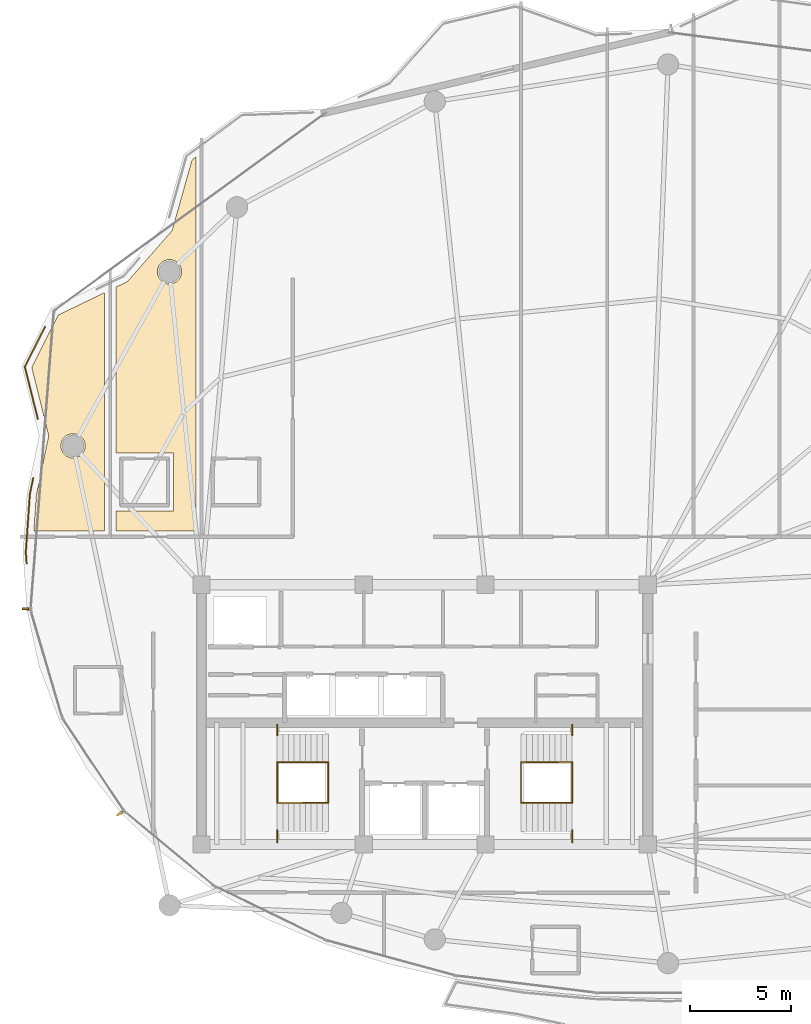
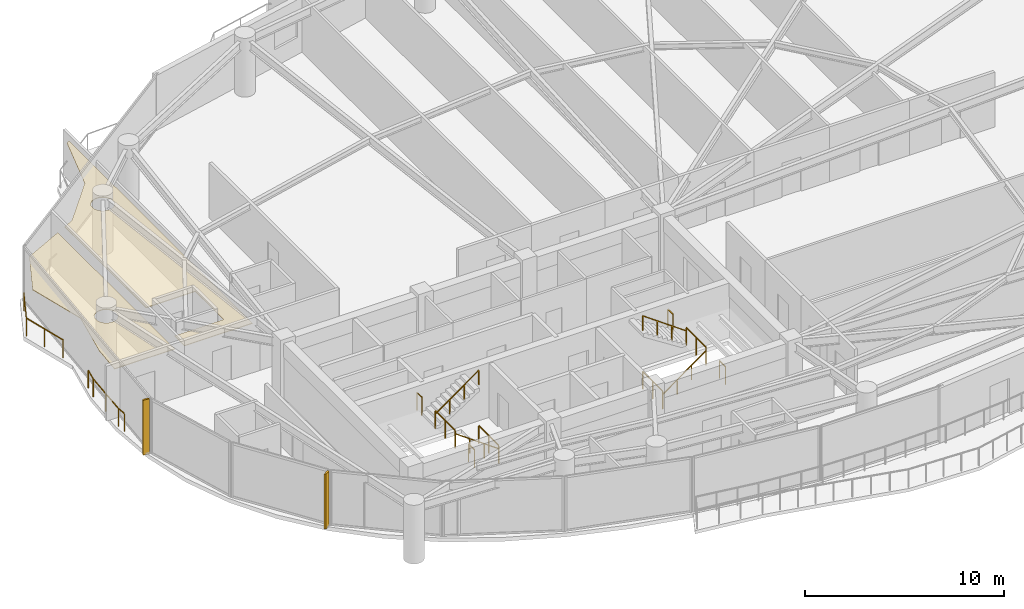
# One storey, part 29 of 31: 14 railings, 2 coverings, 2 shading devices.
"""IFC4 building model written with IfcOpenShell, lengths in metres."""

from ifc_helpers import new_model, si_unit, direction, frame, origin, origin_2d, place, context, subcontext, project, spatial, polyline, rectangle, outline, extrude, material, layer, layer_set, type_object, element, save


model = new_model("IFC4")

# Units and contexts
model_context = context("Model", 3, precision=1e-05, world=origin(), true_north=direction((0.0, 1.0)))
body_context = subcontext(model_context, "Body", "Model", "MODEL_VIEW")
ifc_project = project(units=[si_unit("LENGTHUNIT", "METRE"), si_unit("AREAUNIT", "SQUARE_METRE"), si_unit("VOLUMEUNIT", "CUBIC_METRE"), si_unit("PLANEANGLEUNIT", "RADIAN"), si_unit("MASSUNIT", "GRAM", prefix="KILO")], contexts=[model_context])

# Site, building, storey
site_placement = place(None, origin())
site = spatial("IfcSite", under=ifc_project, at=site_placement, CompositionType="ELEMENT")
building_placement = place(site_placement, origin())
building = spatial("IfcBuilding", under=site, at=building_placement, Name="Kazevale Care Tower and Concert Hall", CompositionType="ELEMENT")
storey_placement = place(building_placement, frame((0.0, 0.0, 220.800048828125)))
storey = spatial("IfcBuildingStorey", under=building, at=storey_placement, Name="L58", CompositionType="ELEMENT", Elevation=220.800048828125)

# Coverings
ifc_material_1 = material(Name="Acoustic Plaster and Hinoki Wood", Category="wood")
ifc_layer = layer(ifc_material_1, 0.0400390625)
ifc_layer_set = layer_set([ifc_layer], Name="Acoustic Plaster and Hinoki Wood")
covering_type = type_object("IfcCoveringType", Name="Acoustic Perforated Wood-Gypsum Ceiling", PredefinedType="CEILING", material=ifc_layer_set)
covering_1_placement = place(storey_placement, frame((0.0, 0.0, 2.7099609375)))
element("IfcCovering", 1, at=covering_1_placement, inside=storey, type_object=covering_type, Name="clg:L58:1", PredefinedType="CEILING", context=body_context, shape_type="SweptSolid", body=[
    extrude(outline(polyline([(14.468994140625, 43.75), (13.632080078125, 47.111083984375), (14.93310546875, 49.694091796875), (17.219970703125, 50.802001953125), (17.219970703125, 39.054931640625), (13.73388671875, 39.054931640625), (13.85693359375, 40.824951171875), (14.468994140625, 43.75)]), holes=[polyline([(16.262939453125, 43.367919921875), (16.173095703125, 43.5859375), (16.006103515625, 43.7529296875), (15.7880859375, 43.843017578125), (15.552001953125, 43.843017578125), (15.333984375, 43.7529296875), (15.1669921875, 43.5859375), (15.076904296875, 43.367919921875), (15.076904296875, 43.132080078125), (15.1669921875, 42.9140625), (15.333984375, 42.7470703125), (15.552001953125, 42.656982421875), (15.7880859375, 42.656982421875), (16.006103515625, 42.7470703125), (16.173095703125, 42.9140625), (16.262939453125, 43.132080078125), (16.262939453125, 43.367919921875)])]), origin(), (0.0, 0.0, 1.0), 0.0400390625),
])
covering_2_placement = place(storey_placement, frame((0.0, 0.0, 2.7099609375)))
element("IfcCovering", 2, at=covering_2_placement, inside=storey, type_object=covering_type, Name="clg:L58:2", PredefinedType="CEILING", context=body_context, shape_type="SweptSolid", body=[
    extrude(outline(polyline([(20.6298828125, 40.044921875), (20.6298828125, 42.905029296875), (17.780029296875, 42.905029296875), (17.780029296875, 51.072998046875), (18.35888671875, 51.35302734375), (20.552001953125, 53.861083984375), (21.534912109375, 57.344970703125), (21.719970703125, 57.48095703125), (21.719970703125, 39.054931640625), (17.780029296875, 39.054931640625), (17.780029296875, 40.044921875), (20.6298828125, 40.044921875)]), holes=[polyline([(21.012939453125, 51.947998046875), (20.923095703125, 52.166015625), (20.756103515625, 52.3330078125), (20.5380859375, 52.423095703125), (20.302001953125, 52.423095703125), (20.083984375, 52.3330078125), (19.9169921875, 52.166015625), (19.826904296875, 51.947998046875), (19.826904296875, 51.7119140625), (19.9169921875, 51.493896484375), (20.083984375, 51.326904296875), (20.302001953125, 51.237060546875), (20.5380859375, 51.237060546875), (20.756103515625, 51.326904296875), (20.923095703125, 51.493896484375), (21.012939453125, 51.7119140625), (21.012939453125, 51.947998046875)])]), origin(), (0.0, 0.0, 1.0), 0.0400390625),
])

# Railings
ifc_material_2 = material(Name="Anodised Bronze Aluminium and Laminated Glass", Category="aluminium")
railing_type_1 = type_object("IfcRailingType", Name="Balcony and Terrace Balustrade 1120", PredefinedType="BALUSTRADE", material=ifc_material_2)
railing_1_placement = place(storey_placement, frame((13.3779296875, 37.467041015625, 0.0)))
element("IfcRailing", 3, at=railing_1_placement, inside=storey, type_object=railing_type_1, Name="rail:L58:perim:1", PredefinedType="BALUSTRADE", context=body_context, shape_type="SweptSolid", body=[
    extrude(rectangle(XDim=0.048095703125, YDim=0.048095703125, at=origin_2d()), frame((0.0, 0.0, 1.09619140625), z_axis=(-0.070824900757, 0.997488763562, 0.0), x_axis=(-0.997488763562, -0.070824900757, 0.0)), (0.0, 0.0, 1.0), 0.5341796875),
    extrude(rectangle(XDim=0.048095703125, YDim=0.048095703125, at=origin_2d()), frame((-0.037841796875, 0.532958984375, 1.09619140625), z_axis=(0.069189590327, 0.997603528758, 0.0), x_axis=(-0.997603528758, 0.069189590327, 0.0)), (0.0, 0.0, 1.0), 2.875732421875),
    extrude(rectangle(XDim=0.048095703125, YDim=0.048095703125, at=origin_2d()), frame((0.1611328125, 3.40185546875, 1.09619140625), z_axis=(0.204489697566, 0.978868716218, 0.0), x_axis=(-0.978868716218, 0.204489697566, 0.0)), (0.0, 0.0, 1.0), 0.801025390625),
    extrude(rectangle(XDim=0.0419921875, YDim=0.0419921875, at=origin_2d()), origin(), (0.0, 0.0, 1.0), 1.072021484375),
    extrude(rectangle(XDim=0.0419921875, YDim=0.0419921875, at=origin_2d()), frame((-0.037841796875, 0.532958984375, 0.0)), (0.0, 0.0, 1.0), 1.072021484375),
    extrude(rectangle(XDim=0.0419921875, YDim=0.0419921875, at=origin_2d()), frame((0.0615234375, 1.96728515625, 0.0)), (0.0, 0.0, 1.0), 1.072021484375),
    extrude(rectangle(XDim=0.0419921875, YDim=0.0419921875, at=origin_2d()), frame((0.1611328125, 3.40185546875, 0.0)), (0.0, 0.0, 1.0), 1.072021484375),
    extrude(rectangle(XDim=0.0419921875, YDim=0.0419921875, at=origin_2d()), frame((0.324951171875, 4.18603515625, 0.0)), (0.0, 0.0, 1.0), 1.072021484375),
])
railing_2_placement = place(storey_placement, frame((13.930908203125, 44.5849609375, 0.0)))
element("IfcRailing", 4, at=railing_2_placement, inside=storey, type_object=railing_type_1, Name="rail:L58:perim:2", PredefinedType="BALUSTRADE", context=body_context, shape_type="SweptSolid", body=[
    extrude(rectangle(XDim=0.048095703125, YDim=0.048095703125, at=origin_2d()), frame((0.0, 0.0, 1.09619140625), z_axis=(-0.241796398664, 0.970327007556, 0.0), x_axis=(-0.970327007556, -0.241796398664, 0.0)), (0.0, 0.0, 1.0), 2.642333984375),
    extrude(rectangle(XDim=0.048095703125, YDim=0.048095703125, at=origin_2d()), frame((-0.638916015625, 2.56396484375, 1.09619140625), z_axis=(0.450269666924, 0.892892617871, 0.0), x_axis=(-0.892892617871, 0.450269666924, 0.0)), (0.0, 0.0, 1.0), 2.202880859375),
    extrude(rectangle(XDim=0.0419921875, YDim=0.0419921875, at=origin_2d()), origin(), (0.0, 0.0, 1.0), 1.072021484375),
    extrude(rectangle(XDim=0.0419921875, YDim=0.0419921875, at=origin_2d()), frame((-0.3193359375, 1.281982421875, 0.0)), (0.0, 0.0, 1.0), 1.072021484375),
    extrude(rectangle(XDim=0.0419921875, YDim=0.0419921875, at=origin_2d()), frame((-0.638916015625, 2.56396484375, 0.0)), (0.0, 0.0, 1.0), 1.072021484375),
    extrude(rectangle(XDim=0.0419921875, YDim=0.0419921875, at=origin_2d()), frame((0.35302734375, 4.531005859375, 0.0)), (0.0, 0.0, 1.0), 1.072021484375),
])
ifc_material_3 = material(Name="Stainless Steel 316", Category="steel")
railing_type_2 = type_object("IfcRailingType", Name="Stair Pitch Handrail 920", PredefinedType="HANDRAIL", material=ifc_material_3)
railing_3_placement = place(storey_placement, frame((28.25, 25.64990234375, 0.0)))
element("IfcRailing", 5, at=railing_3_placement, inside=storey, type_object=railing_type_2, Name="stair:L58:ST1:hr1", PredefinedType="HANDRAIL", context=body_context, shape_type="SweptSolid", body=[
    extrude(rectangle(XDim=0.048095703125, YDim=0.048095703125, at=origin_2d()), frame((0.0, 0.0, 0.89599609375), z_axis=(-0.813728144527, 0.0, 0.581245650998), x_axis=(0.0, -1.0, 0.0)), (0.0, 0.0, 1.0), 3.096923828125),
    extrude(rectangle(XDim=0.0419921875, YDim=0.0419921875, at=origin_2d()), origin(), (0.0, 0.0, 1.0), 0.871826171875),
    extrude(rectangle(XDim=0.0419921875, YDim=0.0419921875, at=origin_2d()), frame((-0.840087890625, 0.0, 0.60009765625)), (0.0, 0.0, 1.0), 0.871826171875),
    extrude(rectangle(XDim=0.0419921875, YDim=0.0419921875, at=origin_2d()), frame((-1.679931640625, 0.0, 1.199951171875)), (0.0, 0.0, 1.0), 0.871826171875),
    extrude(rectangle(XDim=0.0419921875, YDim=0.0419921875, at=origin_2d()), frame((-2.52001953125, 0.0, 1.800048828125)), (0.0, 0.0, 1.0), 0.871826171875),
])
railing_4_placement = place(storey_placement, frame((25.72998046875, 27.64990234375, 1.800048828125)))
element("IfcRailing", 6, at=railing_4_placement, inside=storey, type_object=railing_type_2, Name="stair:L58:ST1:hr2", PredefinedType="HANDRAIL", context=body_context, shape_type="SweptSolid", body=[
    extrude(rectangle(XDim=0.048095703125, YDim=0.048095703125, at=origin_2d()), frame((0.0, 0.0, 0.89599609375), z_axis=(0.813765431312, 0.0, 0.581193446971), x_axis=(0.0, 1.0, 0.0)), (0.0, 0.0, 1.0), 3.0966796875),
    extrude(rectangle(XDim=0.0419921875, YDim=0.0419921875, at=origin_2d()), origin(), (0.0, 0.0, 1.0), 0.871826171875),
    extrude(rectangle(XDim=0.0419921875, YDim=0.0419921875, at=origin_2d()), frame((0.840087890625, 0.0, 0.599853515625)), (0.0, 0.0, 1.0), 0.871826171875),
    extrude(rectangle(XDim=0.0419921875, YDim=0.0419921875, at=origin_2d()), frame((1.679931640625, 0.0, 1.199951171875)), (0.0, 0.0, 1.0), 0.871826171875),
    extrude(rectangle(XDim=0.0419921875, YDim=0.0419921875, at=origin_2d()), frame((2.52001953125, 0.0, 1.7998046875)), (0.0, 0.0, 1.0), 0.871826171875),
])
railing_5_placement = place(storey_placement, frame((37.75, 25.64990234375, 0.0)))
element("IfcRailing", 7, at=railing_5_placement, inside=storey, type_object=railing_type_2, Name="stair:L58:ST2:hr1", PredefinedType="HANDRAIL", context=body_context, shape_type="SweptSolid", body=[
    extrude(rectangle(XDim=0.048095703125, YDim=0.048095703125, at=origin_2d()), frame((0.0, 0.0, 0.89599609375), z_axis=(0.813728144527, 0.0, 0.581245650998), x_axis=(0.0, 1.0, 0.0)), (0.0, 0.0, 1.0), 3.096923828125),
    extrude(rectangle(XDim=0.0419921875, YDim=0.0419921875, at=origin_2d()), origin(), (0.0, 0.0, 1.0), 0.871826171875),
    extrude(rectangle(XDim=0.0419921875, YDim=0.0419921875, at=origin_2d()), frame((0.840087890625, 0.0, 0.60009765625)), (0.0, 0.0, 1.0), 0.871826171875),
    extrude(rectangle(XDim=0.0419921875, YDim=0.0419921875, at=origin_2d()), frame((1.679931640625, 0.0, 1.199951171875)), (0.0, 0.0, 1.0), 0.871826171875),
    extrude(rectangle(XDim=0.0419921875, YDim=0.0419921875, at=origin_2d()), frame((2.52001953125, 0.0, 1.800048828125)), (0.0, 0.0, 1.0), 0.871826171875),
])
railing_6_placement = place(storey_placement, frame((40.27001953125, 27.64990234375, 1.800048828125)))
element("IfcRailing", 8, at=railing_6_placement, inside=storey, type_object=railing_type_2, Name="stair:L58:ST2:hr2", PredefinedType="HANDRAIL", context=body_context, shape_type="SweptSolid", body=[
    extrude(rectangle(XDim=0.048095703125, YDim=0.048095703125, at=origin_2d()), frame((0.0, 0.0, 0.89599609375), z_axis=(-0.813765431312, 0.0, 0.581193446971), x_axis=(0.0, -1.0, 0.0)), (0.0, 0.0, 1.0), 3.0966796875),
    extrude(rectangle(XDim=0.0419921875, YDim=0.0419921875, at=origin_2d()), origin(), (0.0, 0.0, 1.0), 0.871826171875),
    extrude(rectangle(XDim=0.0419921875, YDim=0.0419921875, at=origin_2d()), frame((-0.840087890625, 0.0, 0.599853515625)), (0.0, 0.0, 1.0), 0.871826171875),
    extrude(rectangle(XDim=0.0419921875, YDim=0.0419921875, at=origin_2d()), frame((-1.679931640625, 0.0, 1.199951171875)), (0.0, 0.0, 1.0), 0.871826171875),
    extrude(rectangle(XDim=0.0419921875, YDim=0.0419921875, at=origin_2d()), frame((-2.52001953125, 0.0, 1.7998046875)), (0.0, 0.0, 1.0), 0.871826171875),
])
railing_type_3 = type_object("IfcRailingType", Name="Stair Well Guard Balustrade 1120", PredefinedType="BALUSTRADE", material=ifc_material_3)
railing_7_placement = place(storey_placement, frame((25.72998046875, 23.699951171875, 1.800048828125)))
element("IfcRailing", 9, at=railing_7_placement, inside=storey, type_object=railing_type_3, Name="stair:L58:ST1:grd_side1", PredefinedType="BALUSTRADE", context=body_context, shape_type="SweptSolid", body=[
    extrude(rectangle(XDim=0.048095703125, YDim=0.048095703125, at=origin_2d()), frame((0.0, 0.0, 1.09619140625), z_axis=(0.0, 1.0, 0.0), x_axis=(-1.0, 0.0, 0.0)), (0.0, 0.0, 1.0), 0.610107421875),
    extrude(rectangle(XDim=0.0419921875, YDim=0.0419921875, at=origin_2d()), origin(), (0.0, 0.0, 1.0), 1.072021484375),
    extrude(rectangle(XDim=0.0419921875, YDim=0.0419921875, at=origin_2d()), frame((0.0, 0.610107421875, 0.0)), (0.0, 0.0, 1.0), 1.072021484375),
])
railing_8_placement = place(storey_placement, frame((25.72998046875, 28.989990234375, 1.800048828125)))
element("IfcRailing", 10, at=railing_8_placement, inside=storey, type_object=railing_type_3, Name="stair:L58:ST1:grd_side2", PredefinedType="BALUSTRADE", context=body_context, shape_type="SweptSolid", body=[
    extrude(rectangle(XDim=0.048095703125, YDim=0.048095703125, at=origin_2d()), frame((0.0, 0.0, 1.09619140625), z_axis=(0.0, 1.0, 0.0), x_axis=(-1.0, 0.0, 0.0)), (0.0, 0.0, 1.0), 0.510009765625),
    extrude(rectangle(XDim=0.0419921875, YDim=0.0419921875, at=origin_2d()), origin(), (0.0, 0.0, 1.0), 1.072021484375),
    extrude(rectangle(XDim=0.0419921875, YDim=0.0419921875, at=origin_2d()), frame((0.0, 0.510009765625, 0.0)), (0.0, 0.0, 1.0), 1.072021484375),
])
for number, where, name in (
    (11, (25.72998046875, 25.64990234375, 1.800048828125), "stair:L58:ST1:grd_mid"),
    (12, (28.25, 25.64990234375, 0.0), "stair:L58:ST1:grd_flr"),
):
    element("IfcRailing", number, at=place(storey_placement, frame(where)), inside=storey, type_object=railing_type_3, Name=name, PredefinedType="BALUSTRADE", context=body_context, shape_type="SweptSolid", body=[
        extrude(rectangle(XDim=0.048095703125, YDim=0.048095703125, at=origin_2d()), frame((0.0, 0.0, 1.09619140625), z_axis=(0.0, 1.0, 0.0), x_axis=(-1.0, 0.0, 0.0)), (0.0, 0.0, 1.0), 2.0),
        extrude(rectangle(XDim=0.0419921875, YDim=0.0419921875, at=origin_2d()), origin(), (0.0, 0.0, 1.0), 1.072021484375),
        extrude(rectangle(XDim=0.0419921875, YDim=0.0419921875, at=origin_2d()), frame((0.0, 1.0, 0.0)), (0.0, 0.0, 1.0), 1.072021484375),
        extrude(rectangle(XDim=0.0419921875, YDim=0.0419921875, at=origin_2d()), frame((0.0, 2.0, 0.0)), (0.0, 0.0, 1.0), 1.072021484375),
    ])
railing_9_placement = place(storey_placement, frame((40.27001953125, 23.699951171875, 1.800048828125)))
element("IfcRailing", 13, at=railing_9_placement, inside=storey, type_object=railing_type_3, Name="stair:L58:ST2:grd_side1", PredefinedType="BALUSTRADE", context=body_context, shape_type="SweptSolid", body=[
    extrude(rectangle(XDim=0.048095703125, YDim=0.048095703125, at=origin_2d()), frame((0.0, 0.0, 1.09619140625), z_axis=(0.0, 1.0, 0.0), x_axis=(-1.0, 0.0, 0.0)), (0.0, 0.0, 1.0), 0.610107421875),
    extrude(rectangle(XDim=0.0419921875, YDim=0.0419921875, at=origin_2d()), origin(), (0.0, 0.0, 1.0), 1.072021484375),
    extrude(rectangle(XDim=0.0419921875, YDim=0.0419921875, at=origin_2d()), frame((0.0, 0.610107421875, 0.0)), (0.0, 0.0, 1.0), 1.072021484375),
])
railing_10_placement = place(storey_placement, frame((40.27001953125, 28.989990234375, 1.800048828125)))
element("IfcRailing", 14, at=railing_10_placement, inside=storey, type_object=railing_type_3, Name="stair:L58:ST2:grd_side2", PredefinedType="BALUSTRADE", context=body_context, shape_type="SweptSolid", body=[
    extrude(rectangle(XDim=0.048095703125, YDim=0.048095703125, at=origin_2d()), frame((0.0, 0.0, 1.09619140625), z_axis=(0.0, 1.0, 0.0), x_axis=(-1.0, 0.0, 0.0)), (0.0, 0.0, 1.0), 0.510009765625),
    extrude(rectangle(XDim=0.0419921875, YDim=0.0419921875, at=origin_2d()), origin(), (0.0, 0.0, 1.0), 1.072021484375),
    extrude(rectangle(XDim=0.0419921875, YDim=0.0419921875, at=origin_2d()), frame((0.0, 0.510009765625, 0.0)), (0.0, 0.0, 1.0), 1.072021484375),
])
for number, where, name in (
    (15, (40.27001953125, 25.64990234375, 1.800048828125), "stair:L58:ST2:grd_mid"),
    (16, (37.75, 25.64990234375, 0.0), "stair:L58:ST2:grd_flr"),
):
    element("IfcRailing", number, at=place(storey_placement, frame(where)), inside=storey, type_object=railing_type_3, Name=name, PredefinedType="BALUSTRADE", context=body_context, shape_type="SweptSolid", body=[
        extrude(rectangle(XDim=0.048095703125, YDim=0.048095703125, at=origin_2d()), frame((0.0, 0.0, 1.09619140625), z_axis=(0.0, 1.0, 0.0), x_axis=(-1.0, 0.0, 0.0)), (0.0, 0.0, 1.0), 2.0),
        extrude(rectangle(XDim=0.0419921875, YDim=0.0419921875, at=origin_2d()), origin(), (0.0, 0.0, 1.0), 1.072021484375),
        extrude(rectangle(XDim=0.0419921875, YDim=0.0419921875, at=origin_2d()), frame((0.0, 1.0, 0.0)), (0.0, 0.0, 1.0), 1.072021484375),
        extrude(rectangle(XDim=0.0419921875, YDim=0.0419921875, at=origin_2d()), frame((0.0, 2.0, 0.0)), (0.0, 0.0, 1.0), 1.072021484375),
    ])

# Shading devices
ifc_material_4 = material(Name="Anodised Bronze Aluminium", Category="aluminium")
shading_device_type = type_object("IfcShadingDeviceType", Name="Waist Anodised Bronze-Stone Fin FIN-02", PredefinedType="USERDEFINED", material=ifc_material_4)
for number, where, z_axis, x_axis, name in (
    (17, (17.972900390625, 25.121337890625, 0.0), (0.0, 0.0, 1.0), (-0.832147748683, -0.554553986878, 0.0), "cw:L58:f11:fin"),
    (18, (13.326904296875, 35.216796875, 0.0), (0.0, 0.0, 1.0), (-0.996985422604, 0.077589091471, 0.0), "cw:L58:f13:fin"),
):
    element("IfcShadingDevice", number, at=place(storey_placement, frame(where, z_axis=z_axis, x_axis=x_axis)), inside=storey, type_object=shading_device_type, Name=name, ObjectType="FIN", PredefinedType="USERDEFINED", context=body_context, shape_type="SweptSolid", body=[
        extrude(rectangle(XDim=0.340087890625, YDim=0.10009765625, at=origin_2d()), origin(), (0.0, 0.0, 1.0), 3.360107421875),
    ])

save(model, "model.ifc")
